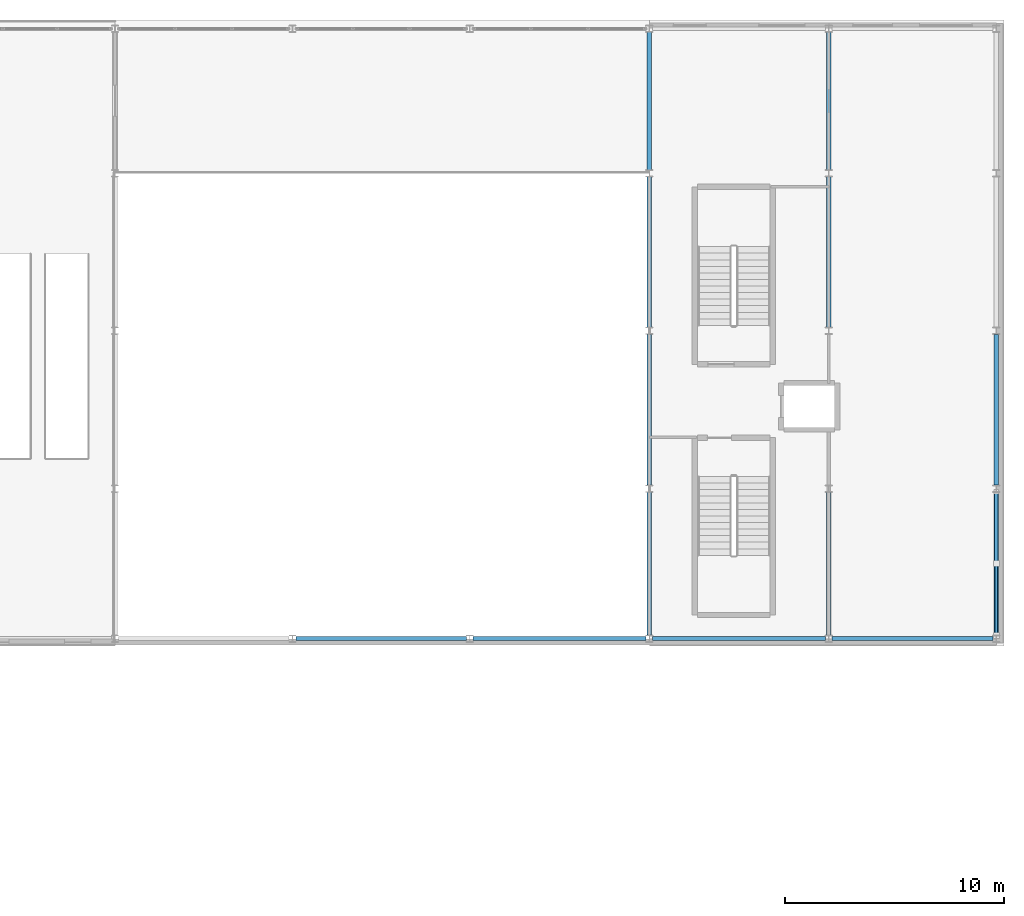
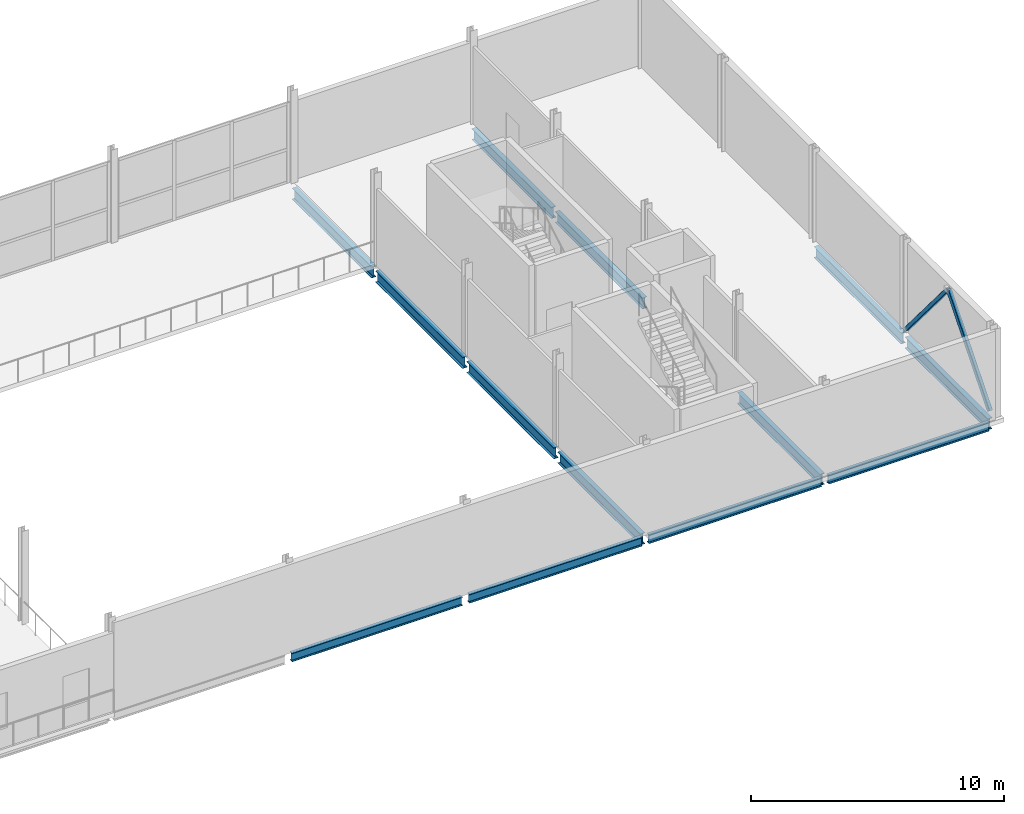
# One storey, part 51 of 77: 13 beams, 2 members.
"""IFC4 building model written with IfcOpenShell, lengths in metres."""

import ifcopenshell
import ifcopenshell.guid

model = None  # the IFC model being written
_history = None  # IfcOwnerHistory: only IFC2X3 demands one
_inside = {}  # id of a spatial element -> (the spatial element, [elements in it])
_under = {}  # id of a project, library or spatial element -> (it, [spatial elements below it])
_declared = {}  # id of a project -> (the project, [libraries it declares])
_typed = {}  # id of a type object -> (the type object, [elements of that type])
_made_of = {}  # id of a material, layer set ... -> (it, [elements and type objects made of it])


def new_model(schema):
    """Start an empty IFC model of exactly this schema.

    Asked for "IFC4X3", IfcOpenShell would pick the latest addendum, in which some entities
    have other attributes; the version numbers below select the first issue.
    IFC2X3 requires an IfcOwnerHistory on every rooted entity: one is made here for all.
    """
    global model, _history
    if schema == "IFC4X3":
        model = ifcopenshell.file(schema_version=(4, 3, 0, 0))
    else:
        model = ifcopenshell.file(schema=schema)
    _inside.clear()
    _under.clear()
    _declared.clear()
    _typed.clear()
    _made_of.clear()
    _history = None
    if model.schema == "IFC2X3":
        org = make("IfcOrganization", Name="unknown")
        user = make(
            "IfcPersonAndOrganization",
            ThePerson=make("IfcPerson", FamilyName="unknown"),
            TheOrganization=org,
        )
        app = make(
            "IfcApplication",
            ApplicationDeveloper=org,
            Version="unknown",
            ApplicationFullName="unknown",
            ApplicationIdentifier="unknown",
        )
        _history = make(
            "IfcOwnerHistory",
            OwningUser=user,
            OwningApplication=app,
            ChangeAction="ADDED",
            CreationDate=0,
        )
    return model


def make(cls, **values):
    """One entity of the class cls with the attributes given. An attribute that is None is left unset."""
    return model.create_entity(
        cls, **{name: value for name, value in values.items() if value is not None}
    )


def rooted(cls, **values):
    """An entity with a GlobalId (a new one), such as an element, a storey or a relation."""
    return make(cls, GlobalId=ifcopenshell.guid.new(), OwnerHistory=_history, **values)


def si_unit(unit_type, name, prefix=None):
    """IfcSIUnit, for example si_unit("LENGTHUNIT", "METRE", prefix="MILLI")."""
    return make("IfcSIUnit", UnitType=unit_type, Prefix=prefix, Name=name)


def assignment(units):
    """IfcUnitAssignment: the units of a project."""
    return None if units is None else make("IfcUnitAssignment", Units=units)


def point(xyz):
    """IfcCartesianPoint."""
    return None if xyz is None else make("IfcCartesianPoint", Coordinates=xyz)


def direction(xyz):
    """IfcDirection."""
    return None if xyz is None else make("IfcDirection", DirectionRatios=xyz)


def frame(location, z_axis=None, x_axis=None):
    """IfcAxis2Placement3D, a coordinate frame: its origin and axes. An axis left out is left unset."""
    return make(
        "IfcAxis2Placement3D",
        Location=point(location),
        Axis=direction(z_axis),
        RefDirection=direction(x_axis),
    )


def frame_2d(location, x_axis=None):
    """IfcAxis2Placement2D, a coordinate frame in the plane: its origin and x axis."""
    return make(
        "IfcAxis2Placement2D", Location=point(location), RefDirection=direction(x_axis)
    )


def origin():
    """The frame at (0, 0, 0) with its axes left unset."""
    return frame((0.0, 0.0, 0.0))


def origin_2d():
    """The frame at (0, 0) in the plane with its x axis left unset."""
    return frame_2d((0.0, 0.0))


def place(relative_to, where):
    """IfcLocalPlacement: puts the frame where relative to a parent placement (None: the world)."""
    return make(
        "IfcLocalPlacement", PlacementRelTo=relative_to, RelativePlacement=where
    )


def context(
    kind, dimensions, precision=None, world=None, true_north=None, identifier=None
):
    """IfcGeometricRepresentationContext, for example the 3D "Model" context."""
    return make(
        "IfcGeometricRepresentationContext",
        ContextIdentifier=identifier,
        ContextType=kind,
        CoordinateSpaceDimension=dimensions,
        Precision=precision,
        WorldCoordinateSystem=world,
        TrueNorth=true_north,
    )


def subcontext(parent, identifier, kind, view, scale=None):
    """IfcGeometricRepresentationSubContext, for example "Body" below "Model"."""
    return make(
        "IfcGeometricRepresentationSubContext",
        ContextIdentifier=identifier,
        ContextType=kind,
        ParentContext=parent,
        TargetScale=scale,
        TargetView=view,
    )


def project(units=None, contexts=None):
    """IfcProject with its units and contexts."""
    return rooted(
        "IfcProject",
        Name="project",
        RepresentationContexts=contexts,
        UnitsInContext=assignment(units),
    )


def spatial(cls, under=None, at=None, **own):
    """A site, building, storey or space (cls), placed at a placement, below another one or the project."""
    s = rooted(cls, ObjectPlacement=at, **own)
    if under is not None:
        _under.setdefault(under.id(), (under, []))[1].append(s)
    return s


def profile(cls, at=None, kind="AREA", **sizes):
    """A parametric profile (cls). Its sizes go by their IFC names, for example OverallWidth=200.0."""
    return make(cls, ProfileType=kind, Position=at, **sizes)


def hollow_rectangle(**sizes):
    """IfcRectangleHollowProfileDef."""
    return profile("IfcRectangleHollowProfileDef", **sizes)


def i_section(**sizes):
    """IfcIShapeProfileDef."""
    return profile("IfcIShapeProfileDef", **sizes)


def extrude(swept, where, along, depth):
    """IfcExtrudedAreaSolid: the profile swept, set in the frame where, extruded along a direction by depth."""
    return make(
        "IfcExtrudedAreaSolid",
        SweptArea=swept,
        Position=where,
        ExtrudedDirection=direction(along),
        Depth=depth,
    )


def shape(context_of_items, identifier, shape_type, items):
    """IfcShapeRepresentation: the items that make up one representation, for example the "Body"."""
    return make(
        "IfcShapeRepresentation",
        ContextOfItems=context_of_items,
        RepresentationIdentifier=identifier,
        RepresentationType=shape_type,
        Items=items,
    )


def material(Name=None, Category=None):
    """IfcMaterial."""
    return make("IfcMaterial", Name=Name, Category=Category)


def material_profile(
    of_material, cross_section, Name=None, Category=None, Priority=None
):
    """IfcMaterialProfile: a cross section and its material."""
    return make(
        "IfcMaterialProfile",
        Name=Name,
        Material=of_material,
        Profile=cross_section,
        Priority=Priority,
        Category=Category,
    )


def profile_set(profiles, Name=None, composite=None):
    """IfcMaterialProfileSet."""
    return make(
        "IfcMaterialProfileSet",
        Name=Name,
        MaterialProfiles=profiles,
        CompositeProfile=composite,
    )


def made_of(thing, what):
    """Note that an element or type object is made of a material, layer set ...; save() writes the relation."""
    if what is not None:
        _made_of.setdefault(what.id(), (what, []))[1].append(thing)
    return thing


def type_object(cls, material=None, **own):
    """A type object (cls), such as IfcWallType, which elements share."""
    return made_of(rooted(cls, **own), material)


def element(
    cls,
    number,
    at=None,
    inside=None,
    cuts=None,
    type_object=None,
    material=None,
    context=None,
    identifier="Body",
    shape_type=None,
    held_by="IfcProductDefinitionShape",
    body=None,
    shapes=None,
    **own,
):
    """One element of the class cls, such as IfcWall. Its Tag is "e" and its number.

    at: its placement. inside: the storey or other place that contains it. cuts: it is an
    opening in that element (IfcRelVoidsElement). A single representation is given by context,
    identifier, shape_type and body (its items); several are given by shapes. held_by: the class
    of the entity that holds the representations. save() writes the other relations.
    """
    e = rooted(cls, Tag="e%d" % number, ObjectPlacement=at, **own)
    if body is not None:
        shapes = [shape(context, identifier, shape_type, body)]
    if shapes is not None:
        e.Representation = make(held_by, Representations=shapes)
    if inside is not None:
        _inside.setdefault(inside.id(), (inside, []))[1].append(e)
    if cuts is not None:
        rooted(
            "IfcRelVoidsElement", RelatingBuildingElement=cuts, RelatedOpeningElement=e
        )
    if type_object is not None:
        _typed.setdefault(type_object.id(), (type_object, []))[1].append(e)
    return made_of(e, material)


def aggregate(whole, parts):
    """IfcRelAggregates: a whole, such as a stair, and the parts it consists of."""
    return rooted("IfcRelAggregates", RelatingObject=whole, RelatedObjects=parts)


def save(model, path):
    """Write the relations noted so far, then the file.

    IfcRelAggregates (storeys below a building ...), IfcRelContainedInSpatialStructure (elements
    in a storey), IfcRelDefinesByType, IfcRelAssociatesMaterial and IfcRelDeclares: one each for
    every whole, place, type object, material and project.
    """
    for whole, parts in _under.values():
        aggregate(whole, parts)
    for where, things in _inside.values():
        rooted(
            "IfcRelContainedInSpatialStructure",
            RelatedElements=things,
            RelatingStructure=where,
        )
    for kind, things in _typed.values():
        rooted("IfcRelDefinesByType", RelatedObjects=things, RelatingType=kind)
    for what, things in _made_of.values():
        rooted("IfcRelAssociatesMaterial", RelatedObjects=things, RelatingMaterial=what)
    for by, libraries in _declared.values():
        rooted("IfcRelDeclares", RelatingContext=by, RelatedDefinitions=libraries)
    model.write(path)


model = new_model("IFC4")

# Units and contexts
model_context = context("Model", 3, precision=1e-05, world=origin(), true_north=direction((0.0, 1.0)))
body_context = subcontext(model_context, "Body", "Model", "MODEL_VIEW")
ifc_project = project(units=[si_unit("LENGTHUNIT", "METRE"), si_unit("AREAUNIT", "SQUARE_METRE"), si_unit("VOLUMEUNIT", "CUBIC_METRE"), si_unit("PLANEANGLEUNIT", "RADIAN"), si_unit("MASSUNIT", "GRAM", prefix="KILO")], contexts=[model_context])

# Site, building, storey
site_placement = place(None, origin())
site = spatial("IfcSite", under=ifc_project, at=site_placement, CompositionType="ELEMENT")
building_placement = place(site_placement, origin())
building = spatial("IfcBuilding", under=site, at=building_placement, Name="Quillay Park Conservatory", CompositionType="ELEMENT")
storey_placement = place(building_placement, frame((0.0, 0.0, 5.39990234375)))
storey = spatial("IfcBuildingStorey", under=building, at=storey_placement, Name="L01", CompositionType="ELEMENT", Elevation=5.39990234375)

# Beams
ifc_material_1 = material(Name="Steel ASTM A992 Grade 50", Category="steel")
ifc_material_profile_1 = material_profile(ifc_material_1, i_section(OverallWidth=0.179931640625, OverallDepth=0.4130859375, WebThickness=0.009765625, FlangeThickness=0.01611328125, FilletRadius=0.011962890625, at=origin_2d()), Name="W410x74")
ifc_profile_set_1 = profile_set([ifc_material_profile_1], Name="Steel ASTM A992 Grade 50")
beam_type_1 = type_object("IfcBeamType", Name="PERIMETER SPANDREL BEAM W410 X74", PredefinedType="SPANDREL", material=ifc_profile_set_1)
beam_1_placement = place(storey_placement, frame((131.85498046875, 85.550048828125, -0.41650390625), z_axis=(1.0, 0.0, 0.0), x_axis=(0.0, 1.0, 0.0)))
element("IfcBeam", 1, at=beam_1_placement, inside=storey, type_object=beam_type_1, Name="L01 beam BM-V2P-1701", PredefinedType="SPANDREL", context=body_context, shape_type="SweptSolid", body=[
    extrude(i_section(OverallWidth=0.179931640625, OverallDepth=0.4130859375, WebThickness=0.009765625, FlangeThickness=0.01611328125, FilletRadius=0.011962890625, at=origin_2d()), origin(), (0.0, 0.0, 1.0), 7.7900390625),
])
for number, where, z_axis, x_axis, name in (
    (2, (139.955078125, 85.550048828125, -0.41650390625), (1.0, 0.0, 0.0), (0.0, 1.0, 0.0), "L01 beam BM-V2P-1702"),
    (3, (148.155029296875, 85.550048828125, -0.41650390625), (1.0, 0.0, 0.0), (0.0, 1.0, 0.0), "L01 beam BM-V2P-1703"),
):
    element("IfcBeam", number, at=place(storey_placement, frame(where, z_axis=z_axis, x_axis=x_axis)), inside=storey, type_object=beam_type_1, Name=name, PredefinedType="SPANDREL", context=body_context, shape_type="SweptSolid", body=[
        extrude(i_section(OverallWidth=0.179931640625, OverallDepth=0.4130859375, WebThickness=0.009765625, FlangeThickness=0.01611328125, FilletRadius=0.011962890625, at=origin_2d()), origin(), (0.0, 0.0, 1.0), 7.889892578125),
    ])
beam_2_placement = place(storey_placement, frame((156.35498046875, 85.550048828125, -0.41650390625), z_axis=(1.0, 0.0, 0.0), x_axis=(0.0, 1.0, 0.0)))
element("IfcBeam", 4, at=beam_2_placement, inside=storey, type_object=beam_type_1, Name="L01 beam BM-V2P-1704", PredefinedType="SPANDREL", context=body_context, shape_type="SweptSolid", body=[
    extrude(i_section(OverallWidth=0.179931640625, OverallDepth=0.4130859375, WebThickness=0.009765625, FlangeThickness=0.01611328125, FilletRadius=0.011962890625, at=origin_2d()), origin(), (0.0, 0.0, 1.0), 7.340087890625),
])
ifc_material_2 = material(Name="Steel ASTM A992 Grade 50", Category="steel")
ifc_material_profile_2 = material_profile(ifc_material_2, i_section(OverallWidth=0.2109375, OverallDepth=0.5390625, WebThickness=0.01171875, FlangeThickness=0.018798828125, FilletRadius=0.013916015625, at=origin_2d()), Name="W530x109")
ifc_profile_set_2 = profile_set([ifc_material_profile_2], Name="Steel ASTM A992 Grade 50")
beam_type_2 = type_object("IfcBeamType", Name="PRIMARY FLOOR GIRDER W530 X109", PredefinedType="BEAM", material=ifc_profile_set_2)
beam_3_placement = place(storey_placement, frame((148.0, 85.705078125, -0.4794921875), z_axis=(0.0, 1.0, 0.0), x_axis=(-1.0, 0.0, 0.0)))
element("IfcBeam", 5, at=beam_3_placement, inside=storey, type_object=beam_type_2, Name="L01 beam BM-V2Y-1719", PredefinedType="BEAM", context=body_context, shape_type="SweptSolid", body=[
    extrude(i_section(OverallWidth=0.2109375, OverallDepth=0.5390625, WebThickness=0.01171875, FlangeThickness=0.018798828125, FilletRadius=0.013916015625, at=origin_2d()), origin(), (0.0, 0.0, 1.0), 6.5400390625),
])
for number, where, z_axis, x_axis, name in (
    (6, (148.0, 92.554931640625, -0.4794921875), (0.0, 1.0, 0.0), (-1.0, 0.0, 0.0), "L01 beam BM-V2Y-1720"),
    (7, (148.0, 99.7548828125, -0.4794921875), (0.0, 1.0, 0.0), (-1.0, 0.0, 0.0), "L01 beam BM-V2Y-1721"),
):
    element("IfcBeam", number, at=place(storey_placement, frame(where, z_axis=z_axis, x_axis=x_axis)), inside=storey, type_object=beam_type_2, Name=name, PredefinedType="BEAM", context=body_context, shape_type="SweptSolid", body=[
        extrude(i_section(OverallWidth=0.2109375, OverallDepth=0.5390625, WebThickness=0.01171875, FlangeThickness=0.018798828125, FilletRadius=0.013916015625, at=origin_2d()), origin(), (0.0, 0.0, 1.0), 6.89013671875),
    ])
beam_4_placement = place(storey_placement, frame((148.0, 106.955078125, -0.4794921875), z_axis=(0.0, 1.0, 0.0), x_axis=(-1.0, 0.0, 0.0)))
element("IfcBeam", 8, at=beam_4_placement, inside=storey, type_object=beam_type_2, Name="L01 beam BM-V2Y-1722", PredefinedType="BEAM", context=body_context, shape_type="SweptSolid", body=[
    extrude(i_section(OverallWidth=0.2109375, OverallDepth=0.5390625, WebThickness=0.01171875, FlangeThickness=0.018798828125, FilletRadius=0.013916015625, at=origin_2d()), origin(), (0.0, 0.0, 1.0), 6.2900390625),
])
beam_5_placement = place(storey_placement, frame((156.199951171875, 85.705078125, -0.4794921875), z_axis=(0.0, 1.0, 0.0), x_axis=(-1.0, 0.0, 0.0)))
element("IfcBeam", 9, at=beam_5_placement, inside=storey, type_object=beam_type_2, Name="L01 beam BM-V2Y-1723", PredefinedType="BEAM", context=body_context, shape_type="SweptSolid", body=[
    extrude(i_section(OverallWidth=0.2109375, OverallDepth=0.5390625, WebThickness=0.01171875, FlangeThickness=0.018798828125, FilletRadius=0.013916015625, at=origin_2d()), origin(), (0.0, 0.0, 1.0), 6.5400390625),
])
beam_6_placement = place(storey_placement, frame((156.199951171875, 99.7548828125, -0.4794921875), z_axis=(0.0, 1.0, 0.0), x_axis=(-1.0, 0.0, 0.0)))
element("IfcBeam", 10, at=beam_6_placement, inside=storey, type_object=beam_type_2, Name="L01 beam BM-V2Y-1724", PredefinedType="BEAM", context=body_context, shape_type="SweptSolid", body=[
    extrude(i_section(OverallWidth=0.2109375, OverallDepth=0.5390625, WebThickness=0.01171875, FlangeThickness=0.018798828125, FilletRadius=0.013916015625, at=origin_2d()), origin(), (0.0, 0.0, 1.0), 6.89013671875),
])
beam_7_placement = place(storey_placement, frame((156.199951171875, 106.955078125, -0.4794921875), z_axis=(0.0, 1.0, 0.0), x_axis=(-1.0, 0.0, 0.0)))
element("IfcBeam", 11, at=beam_7_placement, inside=storey, type_object=beam_type_2, Name="L01 beam BM-V2Y-1725", PredefinedType="BEAM", context=body_context, shape_type="SweptSolid", body=[
    extrude(i_section(OverallWidth=0.2109375, OverallDepth=0.5390625, WebThickness=0.01171875, FlangeThickness=0.018798828125, FilletRadius=0.013916015625, at=origin_2d()), origin(), (0.0, 0.0, 1.0), 6.2900390625),
])
beam_8_placement = place(storey_placement, frame((163.85009765625, 85.705078125, -0.4794921875), z_axis=(0.0, 1.0, 0.0), x_axis=(-1.0, 0.0, 0.0)))
element("IfcBeam", 12, at=beam_8_placement, inside=storey, type_object=beam_type_2, Name="L01 beam BM-V2Y-1726", PredefinedType="BEAM", context=body_context, shape_type="SweptSolid", body=[
    extrude(i_section(OverallWidth=0.2109375, OverallDepth=0.5390625, WebThickness=0.01171875, FlangeThickness=0.018798828125, FilletRadius=0.013916015625, at=origin_2d()), origin(), (0.0, 0.0, 1.0), 6.5400390625),
])
beam_9_placement = place(storey_placement, frame((163.85009765625, 92.554931640625, -0.4794921875), z_axis=(0.0, 1.0, 0.0), x_axis=(-1.0, 0.0, 0.0)))
element("IfcBeam", 13, at=beam_9_placement, inside=storey, type_object=beam_type_2, Name="L01 beam BM-V2Y-1727", PredefinedType="BEAM", context=body_context, shape_type="SweptSolid", body=[
    extrude(i_section(OverallWidth=0.2109375, OverallDepth=0.5390625, WebThickness=0.01171875, FlangeThickness=0.018798828125, FilletRadius=0.013916015625, at=origin_2d()), origin(), (0.0, 0.0, 1.0), 6.89013671875),
])

# Members
ifc_material_3 = material(Name="Steel S355J2H", Category="steel")
ifc_material_profile_3 = material_profile(ifc_material_3, hollow_rectangle(XDim=0.179931640625, YDim=0.179931640625, WallThickness=0.010009765625, InnerFilletRadius=0.010009765625, OuterFilletRadius=0.02001953125, at=origin_2d()), Name="RHS180x180x10")
ifc_profile_set_3 = profile_set([ifc_material_profile_3], Name="Steel S355J2H")
member_type_1 = type_object("IfcMemberType", Name="SEISMIC FRAME BRACE RHS180", PredefinedType="BRACE", material=ifc_profile_set_3)
member_1_placement = place(storey_placement, frame((163.85009765625, 92.25, 0.150146484375), z_axis=(0.0, -0.643664991983, 0.765307374912), x_axis=(1.0, 0.0, 0.0)))
element("IfcMember", 14, at=member_1_placement, inside=storey, type_object=member_type_1, Name="Gridshell member BR-V2-L01-B", PredefinedType="BRACE", context=body_context, shape_type="SweptSolid", body=[
    extrude(hollow_rectangle(XDim=0.179931640625, YDim=0.179931640625, WallThickness=0.010009765625, InnerFilletRadius=0.010009765625, OuterFilletRadius=0.02001953125, at=origin_2d()), origin(), (0.0, 0.0, 1.0), 5.095947265625),
])
ifc_material_4 = material(Name="Steel S355J2H", Category="steel")
ifc_material_profile_4 = material_profile(ifc_material_4, hollow_rectangle(XDim=0.14990234375, YDim=0.25, WallThickness=0.010009765625, InnerFilletRadius=0.010009765625, OuterFilletRadius=0.02001953125, at=origin_2d()), Name="RHS250x150x10")
ifc_profile_set_4 = profile_set([ifc_material_profile_4], Name="Steel S355J2H")
member_type_2 = type_object("IfcMemberType", Name="SEISMIC FRAME BRACE RHS250", PredefinedType="BRACE", material=ifc_profile_set_4)
member_2_placement = place(storey_placement, frame((163.85009765625, 85.699951171875, 0.150146484375), z_axis=(0.0, 0.642512330887, 0.766275345198), x_axis=(-1.0, 0.0, 0.0)))
element("IfcMember", 15, at=member_2_placement, inside=storey, type_object=member_type_2, Name="Gridshell member BR-V2-L01-A", PredefinedType="BRACE", context=body_context, shape_type="SweptSolid", body=[
    extrude(hollow_rectangle(XDim=0.14990234375, YDim=0.25, WallThickness=0.010009765625, InnerFilletRadius=0.010009765625, OuterFilletRadius=0.02001953125, at=origin_2d()), origin(), (0.0, 0.0, 1.0), 5.08935546875),
])

save(model, "model.ifc")
